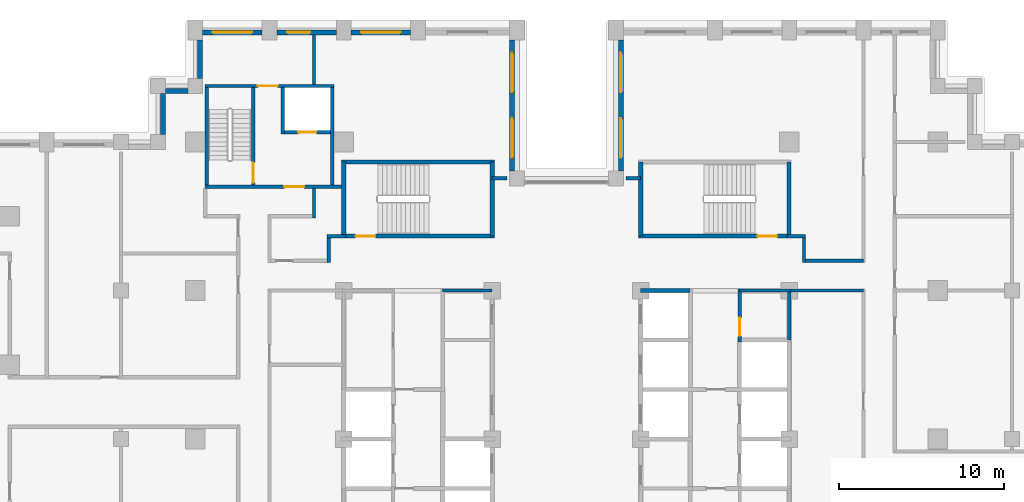
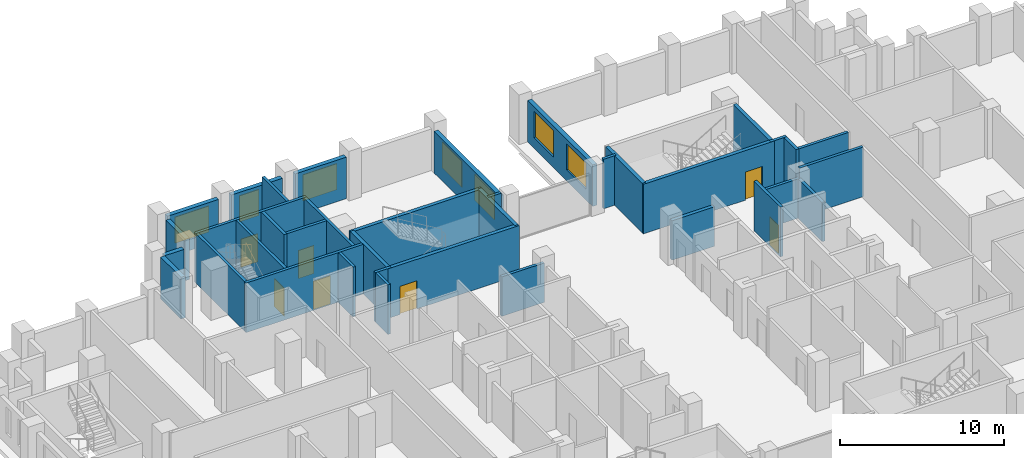
# One storey, part 10 of 15: 37 walls, 7 doors, 7 windows, 14 openings.
"""IFC4 building model written with IfcOpenShell, lengths in metres."""

from ifc_helpers import new_model, si_unit, direction, frame, frame_2d, origin, place, context, subcontext, project, spatial, rectangle, extrude, material, layer, layer_set, type_object, element, fill, save


model = new_model("IFC4")

# Units and contexts
model_context = context("Model", 3, precision=1e-05, world=origin(), true_north=direction((0.0, 1.0)))
body_context = subcontext(model_context, "Body", "Model", "MODEL_VIEW")
ifc_project = project(units=[si_unit("LENGTHUNIT", "METRE"), si_unit("AREAUNIT", "SQUARE_METRE"), si_unit("VOLUMEUNIT", "CUBIC_METRE"), si_unit("PLANEANGLEUNIT", "RADIAN"), si_unit("MASSUNIT", "GRAM", prefix="KILO")], contexts=[model_context])

# Site, building, storey
site_placement = place(None, origin())
site = spatial("IfcSite", under=ifc_project, at=site_placement, CompositionType="ELEMENT")
building_placement = place(site_placement, origin())
building = spatial("IfcBuilding", under=site, at=building_placement, Name="Corbelhall Arena Tower", CompositionType="ELEMENT")
storey_placement = place(building_placement, frame((0.0, 0.0, 92.0)))
storey = spatial("IfcBuildingStorey", under=building, at=storey_placement, Name="L15", CompositionType="ELEMENT", Elevation=92.0)

# Walls
ifc_material_1 = material(Name="Precast concrete C40/50 with granite facing", Category="masonry")
ifc_layer_1 = layer(ifc_material_1, 0.300048828125)
ifc_layer_set_1 = layer_set([ifc_layer_1], Name="EV-IW1 Infill panel 300")
wall_type_1 = type_object("IfcWallType", Name="EV-IW1 Infill panel 300", PredefinedType="SOLIDWALL", material=ifc_layer_set_1)
wall_1_placement = place(storey_placement, frame((-22.199951171875, 24.199951171875, 0.0), z_axis=(0.0, 0.0, 1.0), x_axis=(0.0, -1.0, 0.0)))
element("IfcWall", 1, at=wall_1_placement, inside=storey, type_object=wall_type_1, Name="Infill panel IW1", PredefinedType="SOLIDWALL", context=body_context, shape_type="SweptSolid", body=[
    extrude(rectangle(XDim=2.349853515625, YDim=0.300048828125, at=frame_2d((1.1748046875, 0.0))), origin(), (0.0, 0.0, 1.0), 3.10009765625),
])
wall_2_placement = place(storey_placement, frame((-22.949951171875, 21.10009765625, 0.0), z_axis=(0.0, 0.0, 1.0), x_axis=(-1.0, 0.0, 0.0)))
element("IfcWall", 2, at=wall_2_placement, inside=storey, type_object=wall_type_1, Name="Infill panel IW1", PredefinedType="SOLIDWALL", context=body_context, shape_type="SweptSolid", body=[
    extrude(rectangle(XDim=1.35009765625, YDim=0.300048828125, at=frame_2d((0.675048828125, 0.0))), origin(), (0.0, 0.0, 1.0), 3.10009765625),
])
wall_3_placement = place(storey_placement, frame((-24.449951171875, 20.949951171875, 0.0), z_axis=(0.0, 0.0, 1.0), x_axis=(0.0, -1.0, 0.0)))
element("IfcWall", 3, at=wall_3_placement, inside=storey, type_object=wall_type_1, Name="Infill panel IW1", PredefinedType="SOLIDWALL", context=body_context, shape_type="SweptSolid", body=[
    extrude(rectangle(XDim=2.5, YDim=0.300048828125, at=frame_2d((1.25, 0.0))), origin(), (0.0, 0.0, 1.0), 3.10009765625),
])

# Wall, openings, windows
wall_4_placement = place(storey_placement, frame((3.300048828125, 24.199951171875, 0.0), z_axis=(0.0, 0.0, 1.0), x_axis=(0.0, -1.0, 0.0)))
wall_4 = element("IfcWall", 4, at=wall_4_placement, inside=storey, type_object=wall_type_1, Name="Infill panel IW1", PredefinedType="SOLIDWALL", context=body_context, shape_type="SweptSolid", body=[
    extrude(rectangle(XDim=7.949951171875, YDim=0.300048828125, at=frame_2d((3.97509765625, 0.0))), origin(), (0.0, 0.0, 1.0), 3.10009765625),
])
opening_1_placement = place(wall_4_placement, frame((0.78759765625, 0.0, 0.800048828125)))
opening_1 = element("IfcOpeningElement", 5, at=opening_1_placement, cuts=wall_4, Name="Opening WN1", PredefinedType="OPENING", context=body_context, shape_type="SweptSolid", body=[
    extrude(rectangle(XDim=2.39990234375, YDim=1.949951171875, at=frame_2d((1.199951171875, 0.97509765625))), frame((0.0, 0.14990234375, 0.0), z_axis=(0.0, -1.0, 0.0), x_axis=(1.0, 0.0, 0.0)), (0.0, 0.0, 1.0), 0.300048828125),
])
opening_2_placement = place(wall_4_placement, frame((4.762451171875, 0.0, 0.800048828125)))
opening_2 = element("IfcOpeningElement", 6, at=opening_2_placement, cuts=wall_4, Name="Opening WN1", PredefinedType="OPENING", context=body_context, shape_type="SweptSolid", body=[
    extrude(rectangle(XDim=2.39990234375, YDim=1.949951171875, at=frame_2d((1.199951171875, 0.97509765625))), frame((0.0, 0.14990234375, 0.0), z_axis=(0.0, -1.0, 0.0), x_axis=(1.0, 0.0, 0.0)), (0.0, 0.0, 1.0), 0.300048828125),
])
ifc_material_2 = material(Name="Aluminium black anodised", Category="aluminium")
window_type_1 = type_object("IfcWindowType", Name="EV-WN1 Office window", PartitioningType="SINGLE_PANEL", PredefinedType="WINDOW", material=ifc_material_2)
window_1_placement = place(opening_1_placement, origin())
window_1 = element("IfcWindow", 7, at=window_1_placement, inside=storey, type_object=window_type_1, Name="Window WN1", OverallHeight=1.949951171875, OverallWidth=2.39990234375, PartitioningType="SINGLE_PANEL", PredefinedType="WINDOW", context=body_context, shape_type="SweptSolid", body=[
    extrude(rectangle(XDim=2.39990234375, YDim=1.949951171875, at=frame_2d((1.199951171875, 0.97509765625))), frame((0.0, 0.030029296875, 0.0), z_axis=(0.0, -1.0, 0.0), x_axis=(1.0, 0.0, 0.0)), (0.0, 0.0, 1.0), 0.06005859375),
])
fill(opening_1, window_1)
window_2_placement = place(opening_2_placement, origin())
window_2 = element("IfcWindow", 8, at=window_2_placement, inside=storey, type_object=window_type_1, Name="Window WN1", OverallHeight=1.949951171875, OverallWidth=2.39990234375, PartitioningType="SINGLE_PANEL", PredefinedType="WINDOW", context=body_context, shape_type="SweptSolid", body=[
    extrude(rectangle(XDim=2.39990234375, YDim=1.949951171875, at=frame_2d((1.199951171875, 0.97509765625))), frame((0.0, 0.030029296875, 0.0), z_axis=(0.0, -1.0, 0.0), x_axis=(1.0, 0.0, 0.0)), (0.0, 0.0, 1.0), 0.06005859375),
])
fill(opening_2, window_2)

wall_5_placement = place(storey_placement, frame((-3.300048828125, 16.25, 0.0), z_axis=(0.0, 0.0, 1.0), x_axis=(0.0, 1.0, 0.0)))
wall_5 = element("IfcWall", 9, at=wall_5_placement, inside=storey, type_object=wall_type_1, Name="Infill panel IW1", PredefinedType="SOLIDWALL", context=body_context, shape_type="SweptSolid", body=[
    extrude(rectangle(XDim=7.949951171875, YDim=0.300048828125, at=frame_2d((3.97509765625, 0.0))), origin(), (0.0, 0.0, 1.0), 3.10009765625),
])
opening_3_placement = place(wall_5_placement, frame((0.78759765625, 0.0, 0.800048828125)))
opening_3 = element("IfcOpeningElement", 10, at=opening_3_placement, cuts=wall_5, Name="Opening WN1", PredefinedType="OPENING", context=body_context, shape_type="SweptSolid", body=[
    extrude(rectangle(XDim=2.39990234375, YDim=1.949951171875, at=frame_2d((1.199951171875, 0.97509765625))), frame((0.0, 0.14990234375, 0.0), z_axis=(0.0, -1.0, 0.0), x_axis=(1.0, 0.0, 0.0)), (0.0, 0.0, 1.0), 0.300048828125),
])
opening_4_placement = place(wall_5_placement, frame((4.762451171875, 0.0, 0.800048828125)))
opening_4 = element("IfcOpeningElement", 11, at=opening_4_placement, cuts=wall_5, Name="Opening WN1", PredefinedType="OPENING", context=body_context, shape_type="SweptSolid", body=[
    extrude(rectangle(XDim=2.39990234375, YDim=1.949951171875, at=frame_2d((1.199951171875, 0.97509765625))), frame((0.0, 0.14990234375, 0.0), z_axis=(0.0, -1.0, 0.0), x_axis=(1.0, 0.0, 0.0)), (0.0, 0.0, 1.0), 0.300048828125),
])
window_3_placement = place(opening_3_placement, origin())
window_3 = element("IfcWindow", 12, at=window_3_placement, inside=storey, type_object=window_type_1, Name="Window WN1", OverallHeight=1.949951171875, OverallWidth=2.39990234375, PartitioningType="SINGLE_PANEL", PredefinedType="WINDOW", context=body_context, shape_type="SweptSolid", body=[
    extrude(rectangle(XDim=2.39990234375, YDim=1.949951171875, at=frame_2d((1.199951171875, 0.97509765625))), frame((0.0, 0.030029296875, 0.0), z_axis=(0.0, -1.0, 0.0), x_axis=(1.0, 0.0, 0.0)), (0.0, 0.0, 1.0), 0.06005859375),
])
fill(opening_3, window_3)
window_4_placement = place(opening_4_placement, origin())
window_4 = element("IfcWindow", 13, at=window_4_placement, inside=storey, type_object=window_type_1, Name="Window WN1", OverallHeight=1.949951171875, OverallWidth=2.39990234375, PartitioningType="SINGLE_PANEL", PredefinedType="WINDOW", context=body_context, shape_type="SweptSolid", body=[
    extrude(rectangle(XDim=2.39990234375, YDim=1.949951171875, at=frame_2d((1.199951171875, 0.97509765625))), frame((0.0, 0.030029296875, 0.0), z_axis=(0.0, -1.0, 0.0), x_axis=(1.0, 0.0, 0.0)), (0.0, 0.0, 1.0), 0.06005859375),
])
fill(opening_4, window_4)

# Wall, opening, window
wall_6_placement = place(storey_placement, frame((-9.449951171875, 24.64990234375, 0.0), z_axis=(0.0, 0.0, 1.0), x_axis=(-1.0, 0.0, 0.0)))
wall_6 = element("IfcWall", 14, at=wall_6_placement, inside=storey, type_object=wall_type_1, Name="Infill panel IW1", PredefinedType="SOLIDWALL", context=body_context, shape_type="SweptSolid", body=[
    extrude(rectangle(XDim=3.60009765625, YDim=0.300048828125, at=frame_2d((1.800048828125, 0.0))), origin(), (0.0, 0.0, 1.0), 3.10009765625),
])
opening_5_placement = place(wall_6_placement, frame((0.60009765625, 0.0, 0.800048828125)))
opening_5 = element("IfcOpeningElement", 15, at=opening_5_placement, cuts=wall_6, Name="Opening WN1", PredefinedType="OPENING", context=body_context, shape_type="SweptSolid", body=[
    extrude(rectangle(XDim=2.39990234375, YDim=1.949951171875, at=frame_2d((1.199951171875, 0.97509765625))), frame((0.0, 0.14990234375, 0.0), z_axis=(0.0, -1.0, 0.0), x_axis=(1.0, 0.0, 0.0)), (0.0, 0.0, 1.0), 0.300048828125),
])
window_5_placement = place(opening_5_placement, origin())
window_5 = element("IfcWindow", 16, at=window_5_placement, inside=storey, type_object=window_type_1, Name="Window WN1", OverallHeight=1.949951171875, OverallWidth=2.39990234375, PartitioningType="SINGLE_PANEL", PredefinedType="WINDOW", context=body_context, shape_type="SweptSolid", body=[
    extrude(rectangle(XDim=2.39990234375, YDim=1.949951171875, at=frame_2d((1.199951171875, 0.97509765625))), frame((0.0, 0.030029296875, 0.0), z_axis=(0.0, -1.0, 0.0), x_axis=(1.0, 0.0, 0.0)), (0.0, 0.0, 1.0), 0.06005859375),
])
fill(opening_5, window_5)

wall_7_placement = place(storey_placement, frame((-13.949951171875, 24.64990234375, 0.0), z_axis=(0.0, 0.0, 1.0), x_axis=(-1.0, 0.0, 0.0)))
wall_7 = element("IfcWall", 17, at=wall_7_placement, inside=storey, type_object=wall_type_1, Name="Infill panel IW1", PredefinedType="SOLIDWALL", context=body_context, shape_type="SweptSolid", body=[
    extrude(rectangle(XDim=3.60009765625, YDim=0.300048828125, at=frame_2d((1.800048828125, 0.0))), origin(), (0.0, 0.0, 1.0), 3.10009765625),
])
opening_6_placement = place(wall_7_placement, frame((1.574951171875, 0.0, 0.800048828125)))
opening_6 = element("IfcOpeningElement", 18, at=opening_6_placement, cuts=wall_7, Name="Opening WN7", PredefinedType="OPENING", context=body_context, shape_type="SweptSolid", body=[
    extrude(rectangle(XDim=1.39990234375, YDim=1.949951171875, at=frame_2d((0.699951171875, 0.97509765625))), frame((0.0, 0.14990234375, 0.0), z_axis=(0.0, -1.0, 0.0), x_axis=(1.0, 0.0, 0.0)), (0.0, 0.0, 1.0), 0.300048828125),
])
window_type_2 = type_object("IfcWindowType", Name="EV-WN7 Office window 1400", PartitioningType="SINGLE_PANEL", PredefinedType="WINDOW", material=ifc_material_2)
window_6_placement = place(opening_6_placement, origin())
window_6 = element("IfcWindow", 19, at=window_6_placement, inside=storey, type_object=window_type_2, Name="Window WN7", OverallHeight=1.949951171875, OverallWidth=1.39990234375, PartitioningType="SINGLE_PANEL", PredefinedType="WINDOW", context=body_context, shape_type="SweptSolid", body=[
    extrude(rectangle(XDim=1.39990234375, YDim=1.949951171875, at=frame_2d((0.699951171875, 0.97509765625))), frame((0.0, 0.030029296875, 0.0), z_axis=(0.0, -1.0, 0.0), x_axis=(1.0, 0.0, 0.0)), (0.0, 0.0, 1.0), 0.06005859375),
])
fill(opening_6, window_6)

wall_8_placement = place(storey_placement, frame((-18.449951171875, 24.64990234375, 0.0), z_axis=(0.0, 0.0, 1.0), x_axis=(-1.0, 0.0, 0.0)))
wall_8 = element("IfcWall", 20, at=wall_8_placement, inside=storey, type_object=wall_type_1, Name="Infill panel IW1", PredefinedType="SOLIDWALL", context=body_context, shape_type="SweptSolid", body=[
    extrude(rectangle(XDim=3.60009765625, YDim=0.300048828125, at=frame_2d((1.800048828125, 0.0))), origin(), (0.0, 0.0, 1.0), 3.10009765625),
])
opening_7_placement = place(wall_8_placement, frame((0.60009765625, 0.0, 0.800048828125)))
opening_7 = element("IfcOpeningElement", 21, at=opening_7_placement, cuts=wall_8, Name="Opening WN1", PredefinedType="OPENING", context=body_context, shape_type="SweptSolid", body=[
    extrude(rectangle(XDim=2.39990234375, YDim=1.949951171875, at=frame_2d((1.199951171875, 0.97509765625))), frame((0.0, 0.14990234375, 0.0), z_axis=(0.0, -1.0, 0.0), x_axis=(1.0, 0.0, 0.0)), (0.0, 0.0, 1.0), 0.300048828125),
])
window_7_placement = place(opening_7_placement, origin())
window_7 = element("IfcWindow", 22, at=window_7_placement, inside=storey, type_object=window_type_1, Name="Window WN1", OverallHeight=1.949951171875, OverallWidth=2.39990234375, PartitioningType="SINGLE_PANEL", PredefinedType="WINDOW", context=body_context, shape_type="SweptSolid", body=[
    extrude(rectangle(XDim=2.39990234375, YDim=1.949951171875, at=frame_2d((1.199951171875, 0.97509765625))), frame((0.0, 0.030029296875, 0.0), z_axis=(0.0, -1.0, 0.0), x_axis=(1.0, 0.0, 0.0)), (0.0, 0.0, 1.0), 0.06005859375),
])
fill(opening_7, window_7)

# Walls
ifc_material_3 = material(Name="Gypsum board on steel stud, acoustic", Category="steel")
ifc_layer_2 = layer(ifc_material_3, 0.199951171875)
ifc_layer_set_2 = layer_set([ifc_layer_2], Name="IN-W-DM200")
wall_type_2 = type_object("IfcWallType", Name="IN-W-DM200", PredefinedType="PARTITIONING", material=ifc_layer_set_2)
wall_9_placement = place(storey_placement, frame((-15.300048828125, 15.199951171875, 0.0), z_axis=(0.0, 0.0, 1.0), x_axis=(0.0, -1.0, 0.0)))
element("IfcWall", 23, at=wall_9_placement, inside=storey, type_object=wall_type_2, Name="Partition 024", PredefinedType="PARTITIONING", context=body_context, shape_type="SweptSolid", body=[
    extrude(rectangle(XDim=1.800048828125, YDim=0.199951171875, at=frame_2d((0.89990234375, 0.0))), origin(), (0.0, 0.0, 1.0), 3.699951171875),
])
wall_10_placement = place(storey_placement, frame((-15.300048828125, 24.5, 0.0), z_axis=(0.0, 0.0, 1.0), x_axis=(0.0, -1.0, 0.0)))
element("IfcWall", 24, at=wall_10_placement, inside=storey, type_object=wall_type_2, Name="Partition 025", PredefinedType="PARTITIONING", context=body_context, shape_type="SweptSolid", body=[
    extrude(rectangle(XDim=3.0, YDim=0.199951171875, at=frame_2d((1.5, 0.0))), origin(), (0.0, 0.0, 1.0), 3.699951171875),
])
wall_11_placement = place(storey_placement, frame((-14.5, 12.300048828125, 0.0), z_axis=(0.0, 0.0, 1.0), x_axis=(1.0, 0.0, 0.0)))
element("IfcWall", 25, at=wall_11_placement, inside=storey, type_object=wall_type_2, Name="Partition 026", PredefinedType="PARTITIONING", context=body_context, shape_type="SweptSolid", body=[
    extrude(rectangle(XDim=1.125, YDim=0.199951171875, at=frame_2d((0.5625, 0.0))), origin(), (0.0, 0.0, 1.0), 3.699951171875),
])
wall_12_placement = place(storey_placement, frame((-14.39990234375, 10.699951171875, 0.0), z_axis=(0.0, 0.0, 1.0), x_axis=(0.0, 1.0, 0.0)))
element("IfcWall", 26, at=wall_12_placement, inside=storey, type_object=wall_type_2, Name="Partition 030", PredefinedType="PARTITIONING", context=body_context, shape_type="SweptSolid", body=[
    extrude(rectangle(XDim=1.60009765625, YDim=0.199951171875, at=frame_2d((0.800048828125, 0.0))), origin(), (0.0, 0.0, 1.0), 3.699951171875),
])
for number, where, z_axis, x_axis, name in (
    (27, (-4.5, 15.800048828125, 0.0), (0.0, 0.0, 1.0), (1.0, 0.0, 0.0), "Partition 032"),
    (28, (3.60009765625, 15.800048828125, 0.0), (0.0, 0.0, 1.0), (1.0, 0.0, 0.0), "Partition 034"),
):
    element("IfcWall", number, at=place(storey_placement, frame(where, z_axis=z_axis, x_axis=x_axis)), inside=storey, type_object=wall_type_2, Name=name, PredefinedType="PARTITIONING", context=body_context, shape_type="SweptSolid", body=[
        extrude(rectangle(XDim=0.89990234375, YDim=0.199951171875, at=frame_2d((0.449951171875, 0.0))), origin(), (0.0, 0.0, 1.0), 3.699951171875),
    ])
wall_13_placement = place(storey_placement, frame((13.375, 12.300048828125, 0.0), z_axis=(0.0, 0.0, 1.0), x_axis=(1.0, 0.0, 0.0)))
element("IfcWall", 29, at=wall_13_placement, inside=storey, type_object=wall_type_2, Name="Partition 036", PredefinedType="PARTITIONING", context=body_context, shape_type="SweptSolid", body=[
    extrude(rectangle(XDim=1.125, YDim=0.199951171875, at=frame_2d((0.5625, 0.0))), origin(), (0.0, 0.0, 1.0), 3.699951171875),
])
wall_14_placement = place(storey_placement, frame((18.0, 9.0, 0.0), z_axis=(0.0, 0.0, 1.0), x_axis=(-1.0, 0.0, 0.0)))
element("IfcWall", 30, at=wall_14_placement, inside=storey, type_object=wall_type_2, Name="Partition 041", PredefinedType="PARTITIONING", context=body_context, shape_type="SweptSolid", body=[
    extrude(rectangle(XDim=4.5, YDim=0.199951171875, at=frame_2d((2.25, 0.0))), origin(), (0.0, 0.0, 1.0), 3.699951171875),
])
wall_15_placement = place(storey_placement, frame((14.39990234375, 10.800048828125, 0.0), z_axis=(0.0, 0.0, 1.0), x_axis=(1.0, 0.0, 0.0)))
element("IfcWall", 31, at=wall_15_placement, inside=storey, type_object=wall_type_2, Name="Partition 042", PredefinedType="PARTITIONING", context=body_context, shape_type="SweptSolid", body=[
    extrude(rectangle(XDim=3.60009765625, YDim=0.199951171875, at=frame_2d((1.800048828125, 0.0))), origin(), (0.0, 0.0, 1.0), 3.699951171875),
])
wall_16_placement = place(storey_placement, frame((14.39990234375, 12.300048828125, 0.0), z_axis=(0.0, 0.0, 1.0), x_axis=(0.0, -1.0, 0.0)))
element("IfcWall", 32, at=wall_16_placement, inside=storey, type_object=wall_type_2, Name="Partition 043", PredefinedType="PARTITIONING", context=body_context, shape_type="SweptSolid", body=[
    extrude(rectangle(XDim=1.60009765625, YDim=0.199951171875, at=frame_2d((0.800048828125, 0.0))), origin(), (0.0, 0.0, 1.0), 3.699951171875),
])

# Wall, opening, door
ifc_material_4 = material(Name="Concrete C40/50", Category="concrete")
ifc_layer_3 = layer(ifc_material_4, 0.199951171875)
ifc_layer_set_3 = layer_set([ifc_layer_3], Name="IN-W-EAR200")
wall_type_3 = type_object("IfcWallType", Name="IN-W-EAR200", PredefinedType="SOLIDWALL", material=ifc_layer_set_3)
wall_17_placement = place(storey_placement, frame((-21.89990234375, 15.300048828125, 0.0), z_axis=(0.0, 0.0, 1.0), x_axis=(1.0, 0.0, 0.0)))
wall_17 = element("IfcWall", 33, at=wall_17_placement, inside=storey, type_object=wall_type_3, Name="Fire service turret wall south", PredefinedType="SOLIDWALL", context=body_context, shape_type="SweptSolid", body=[
    extrude(rectangle(XDim=8.27490234375, YDim=0.199951171875, at=frame_2d((4.137451171875, 0.0))), origin(), (0.0, 0.0, 1.0), 3.699951171875),
])
opening_8_placement = place(wall_17_placement, frame((4.800048828125, 0.0, 0.0)))
opening_8 = element("IfcOpeningElement", 34, at=opening_8_placement, cuts=wall_17, Name="Opening E032", PredefinedType="OPENING", context=body_context, shape_type="SweptSolid", body=[
    extrude(rectangle(XDim=1.199951171875, YDim=2.10009765625, at=frame_2d((0.60009765625, 1.050048828125))), frame((0.0, 0.10009765625, 0.0), z_axis=(0.0, -1.0, 0.0), x_axis=(1.0, 0.0, 0.0)), (0.0, 0.0, 1.0), 0.199951171875),
])
ifc_material_5 = material(Name="Steel door set", Category="steel")
door_type_1 = type_object("IfcDoorType", Name="IN-D-ST120", OperationType="NOTDEFINED", PredefinedType="DOOR", material=ifc_material_5)
door_1_placement = place(opening_8_placement, origin())
door_1 = element("IfcDoor", 35, at=door_1_placement, inside=storey, type_object=door_type_1, Name="Door from fire service lift lobby to circulation", OperationType="SINGLE_SWING_RIGHT", OverallHeight=2.10009765625, OverallWidth=1.199951171875, PredefinedType="DOOR", context=body_context, shape_type="SweptSolid", body=[
    extrude(rectangle(XDim=1.199951171875, YDim=2.10009765625, at=frame_2d((0.60009765625, 1.050048828125))), frame((0.0, 0.02490234375, 0.0), z_axis=(0.0, -1.0, 0.0), x_axis=(1.0, 0.0, 0.0)), (0.0, 0.0, 1.0), 0.050048828125),
])
fill(opening_8, door_1)

wall_18_placement = place(storey_placement, frame((-21.89990234375, 21.39990234375, 0.0), z_axis=(0.0, 0.0, 1.0), x_axis=(1.0, 0.0, 0.0)))
wall_18 = element("IfcWall", 36, at=wall_18_placement, inside=storey, type_object=wall_type_3, Name="Fire service turret wall north", PredefinedType="SOLIDWALL", context=body_context, shape_type="SweptSolid", body=[
    extrude(rectangle(XDim=7.7998046875, YDim=0.199951171875, at=frame_2d((3.89990234375, 0.0))), origin(), (0.0, 0.0, 1.0), 3.699951171875),
])
opening_9_placement = place(wall_18_placement, frame((3.199951171875, 0.0, 0.0)))
opening_9 = element("IfcOpeningElement", 37, at=opening_9_placement, cuts=wall_18, Name="Opening E033", PredefinedType="OPENING", context=body_context, shape_type="SweptSolid", body=[
    extrude(rectangle(XDim=1.199951171875, YDim=2.10009765625, at=frame_2d((0.60009765625, 1.050048828125))), frame((0.0, 0.10009765625, 0.0), z_axis=(0.0, -1.0, 0.0), x_axis=(1.0, 0.0, 0.0)), (0.0, 0.0, 1.0), 0.199951171875),
])
door_2_placement = place(opening_9_placement, origin())
door_2 = element("IfcDoor", 38, at=door_2_placement, inside=storey, type_object=door_type_1, Name="Door from fire service lift lobby to the north gallery", OperationType="SINGLE_SWING_LEFT", OverallHeight=2.10009765625, OverallWidth=1.199951171875, PredefinedType="DOOR", context=body_context, shape_type="SweptSolid", body=[
    extrude(rectangle(XDim=1.199951171875, YDim=2.10009765625, at=frame_2d((0.60009765625, 1.050048828125))), frame((0.0, 0.02490234375, 0.0), z_axis=(0.0, -1.0, 0.0), x_axis=(1.0, 0.0, 0.0)), (0.0, 0.0, 1.0), 0.050048828125),
])
fill(opening_9, door_2)

# Walls
for number, where, z_axis, x_axis, name in (
    (39, (-21.800048828125, 15.39990234375, 0.0), (0.0, 0.0, 1.0), (0.0, 1.0, 0.0), "Fire service turret wall west"),
    (40, (-14.199951171875, 15.39990234375, 0.0), (0.0, 0.0, 1.0), (0.0, 1.0, 0.0), "Fire service turret wall east"),
):
    element("IfcWall", number, at=place(storey_placement, frame(where, z_axis=z_axis, x_axis=x_axis)), inside=storey, type_object=wall_type_3, Name=name, PredefinedType="SOLIDWALL", context=body_context, shape_type="SweptSolid", body=[
        extrude(rectangle(XDim=5.900146484375, YDim=0.199951171875, at=frame_2d((2.9501953125, 0.0))), origin(), (0.0, 0.0, 1.0), 3.699951171875),
    ])

# Wall, opening, door
wall_19_placement = place(storey_placement, frame((-18.989990234375, 15.39990234375, 0.0), z_axis=(0.0, 0.0, 1.0), x_axis=(0.0, 1.0, 0.0)))
wall_19 = element("IfcWall", 41, at=wall_19_placement, inside=storey, type_object=wall_type_3, Name="Fire service turret wall stair", PredefinedType="SOLIDWALL", context=body_context, shape_type="SweptSolid", body=[
    extrude(rectangle(XDim=5.900146484375, YDim=0.199951171875, at=frame_2d((2.9501953125, 0.0))), origin(), (0.0, 0.0, 1.0), 3.699951171875),
])
opening_10_placement = place(wall_19_placement, frame((0.14990234375, 0.0, 0.0)))
opening_10 = element("IfcOpeningElement", 42, at=opening_10_placement, cuts=wall_19, Name="Opening E031", PredefinedType="OPENING", context=body_context, shape_type="SweptSolid", body=[
    extrude(rectangle(XDim=1.199951171875, YDim=2.10009765625, at=frame_2d((0.60009765625, 1.050048828125))), frame((0.0, 0.10009765625, 0.0), z_axis=(0.0, -1.0, 0.0), x_axis=(1.0, 0.0, 0.0)), (0.0, 0.0, 1.0), 0.199951171875),
])
door_3_placement = place(opening_10_placement, origin())
door_3 = element("IfcDoor", 43, at=door_3_placement, inside=storey, type_object=door_type_1, Name="Stair door to fire service lobby", OperationType="SINGLE_SWING_LEFT", OverallHeight=2.10009765625, OverallWidth=1.199951171875, PredefinedType="DOOR", context=body_context, shape_type="SweptSolid", body=[
    extrude(rectangle(XDim=1.199951171875, YDim=2.10009765625, at=frame_2d((0.60009765625, 1.050048828125))), frame((0.0, 0.02490234375, 0.0), z_axis=(0.0, -1.0, 0.0), x_axis=(1.0, 0.0, 0.0)), (0.0, 0.0, 1.0), 0.050048828125),
])
fill(opening_10, door_3)

# Wall
wall_20_placement = place(storey_placement, frame((-17.199951171875, 18.5, 0.0), z_axis=(0.0, 0.0, 1.0), x_axis=(0.0, 1.0, 0.0)))
element("IfcWall", 44, at=wall_20_placement, inside=storey, type_object=wall_type_3, Name="Fire service turret wall hoistway west", PredefinedType="SOLIDWALL", context=body_context, shape_type="SweptSolid", body=[
    extrude(rectangle(XDim=2.800048828125, YDim=0.199951171875, at=frame_2d((1.39990234375, 0.0))), origin(), (0.0, 0.0, 1.0), 3.699951171875),
])

# Wall, opening, door
wall_21_placement = place(storey_placement, frame((-17.10009765625, 18.60009765625, 0.0), z_axis=(0.0, 0.0, 1.0), x_axis=(1.0, 0.0, 0.0)))
wall_21 = element("IfcWall", 45, at=wall_21_placement, inside=storey, type_object=wall_type_3, Name="Fire service turret wall hoistway south", PredefinedType="SOLIDWALL", context=body_context, shape_type="SweptSolid", body=[
    extrude(rectangle(XDim=2.800048828125, YDim=0.199951171875, at=frame_2d((1.39990234375, 0.0))), origin(), (0.0, 0.0, 1.0), 3.699951171875),
])
opening_11_placement = place(wall_21_placement, frame((0.85009765625, 0.0, 0.0)))
opening_11 = element("IfcOpeningElement", 46, at=opening_11_placement, cuts=wall_21, Name="Opening LD", PredefinedType="OPENING", context=body_context, shape_type="SweptSolid", body=[
    extrude(rectangle(XDim=1.10009765625, YDim=2.10009765625, at=frame_2d((0.550048828125, 1.050048828125))), frame((0.0, 0.10009765625, 0.0), z_axis=(0.0, -1.0, 0.0), x_axis=(1.0, 0.0, 0.0)), (0.0, 0.0, 1.0), 0.199951171875),
])
door_type_2 = type_object("IfcDoorType", Name="IN-D-LD110", OperationType="NOTDEFINED", PredefinedType="DOOR", material=ifc_material_5)
door_4_placement = place(opening_11_placement, origin())
door_4 = element("IfcDoor", 47, at=door_4_placement, inside=storey, type_object=door_type_2, Name="Landing door FS1", OperationType="SLIDING_TO_LEFT", OverallHeight=2.10009765625, OverallWidth=1.10009765625, PredefinedType="DOOR", context=body_context, shape_type="SweptSolid", body=[
    extrude(rectangle(XDim=1.10009765625, YDim=2.10009765625, at=frame_2d((0.550048828125, 1.050048828125))), frame((0.0, 0.02490234375, 0.0), z_axis=(0.0, -1.0, 0.0), x_axis=(1.0, 0.0, 0.0)), (0.0, 0.0, 1.0), 0.050048828125),
])
fill(opening_11, door_4)

ifc_material_6 = material(Name="Concrete block wall", Category="concrete")
ifc_layer_4 = layer(ifc_material_6, 0.199951171875)
ifc_layer_set_4 = layer_set([ifc_layer_4], Name="IN-W-RS200")
wall_type_4 = type_object("IfcWallType", Name="IN-W-RS200", PredefinedType="SOLIDWALL", material=ifc_layer_set_4)
wall_22_placement = place(storey_placement, frame((10.5, 9.10009765625, 0.0), z_axis=(0.0, 0.0, 1.0), x_axis=(0.0, -1.0, 0.0)))
wall_22 = element("IfcWall", 48, at=wall_22_placement, inside=storey, type_object=wall_type_4, Name="Partition 072", PredefinedType="SOLIDWALL", context=body_context, shape_type="SweptSolid", body=[
    extrude(rectangle(XDim=3.22509765625, YDim=0.199951171875, at=frame_2d((1.612548828125, 0.0))), origin(), (0.0, 0.0, 1.0), 3.699951171875),
])
opening_12_placement = place(wall_22_placement, frame((1.75, 0.0, 0.0)))
opening_12 = element("IfcOpeningElement", 49, at=opening_12_placement, cuts=wall_22, Name="Opening 03012", PredefinedType="OPENING", context=body_context, shape_type="SweptSolid", body=[
    extrude(rectangle(XDim=1.10009765625, YDim=2.10009765625, at=frame_2d((0.550048828125, 1.050048828125))), frame((0.0, 0.10009765625, 0.0), z_axis=(0.0, -1.0, 0.0), x_axis=(1.0, 0.0, 0.0)), (0.0, 0.0, 1.0), 0.199951171875),
])
door_type_3 = type_object("IfcDoorType", Name="IN-D-FD110", OperationType="NOTDEFINED", PredefinedType="DOOR", material=ifc_material_5)
door_5_placement = place(opening_12_placement, origin())
door_5 = element("IfcDoor", 50, at=door_5_placement, inside=storey, type_object=door_type_3, Name="Door 012", OperationType="SINGLE_SWING_LEFT", OverallHeight=2.10009765625, OverallWidth=1.10009765625, PredefinedType="DOOR", context=body_context, shape_type="SweptSolid", body=[
    extrude(rectangle(XDim=1.10009765625, YDim=2.10009765625, at=frame_2d((0.550048828125, 1.050048828125))), frame((0.0, 0.02490234375, 0.0), z_axis=(0.0, -1.0, 0.0), x_axis=(1.0, 0.0, 0.0)), (0.0, 0.0, 1.0), 0.050048828125),
])
fill(opening_12, door_5)

# Walls
ifc_layer_5 = layer(ifc_material_6, 0.199951171875)
ifc_layer_set_5 = layer_set([ifc_layer_5], Name="IN-W-RS200 under beam 762 mm")
wall_type_5 = type_object("IfcWallType", Name="IN-W-RS200 under beam 762 mm", PredefinedType="SOLIDWALL", material=ifc_layer_set_5)
wall_23_placement = place(storey_placement, frame((-7.5, 9.0, 0.0), z_axis=(0.0, 0.0, 1.0), x_axis=(1.0, 0.0, 0.0)))
element("IfcWall", 51, at=wall_23_placement, inside=storey, type_object=wall_type_5, Name="Partition 065", PredefinedType="SOLIDWALL", context=body_context, shape_type="SweptSolid", body=[
    extrude(rectangle(XDim=3.0, YDim=0.199951171875, at=frame_2d((1.5, 0.0))), origin(), (0.0, 0.0, 1.0), 2.93798828125),
])
for number, where, z_axis, x_axis, name in (
    (52, (10.5, 9.0, 0.0), (0.0, 0.0, 1.0), (1.0, 0.0, 0.0), "Partition 071"),
    (53, (13.5, 9.10009765625, 0.0), (0.0, 0.0, 1.0), (0.0, -1.0, 0.0), "Partition 073"),
):
    element("IfcWall", number, at=place(storey_placement, frame(where, z_axis=z_axis, x_axis=x_axis)), inside=storey, type_object=wall_type_5, Name=name, PredefinedType="SOLIDWALL", context=body_context, shape_type="SweptSolid", body=[
        extrude(rectangle(XDim=3.10009765625, YDim=0.199951171875, at=frame_2d((1.550048828125, 0.0))), origin(), (0.0, 0.0, 1.0), 2.93798828125),
    ])
ifc_layer_6 = layer(ifc_material_4, 0.25)
ifc_layer_set_6 = layer_set([ifc_layer_6], Name="IN-W-SH250 under beam 762 mm")
wall_type_6 = type_object("IfcWallType", Name="IN-W-SH250 under beam 762 mm", PredefinedType="SOLIDWALL", material=ifc_layer_set_6)
wall_24_placement = place(storey_placement, frame((4.5, 9.0, 0.0), z_axis=(0.0, 0.0, 1.0), x_axis=(1.0, 0.0, 0.0)))
element("IfcWall", 54, at=wall_24_placement, inside=storey, type_object=wall_type_6, Name="Shaft wall 088", PredefinedType="SOLIDWALL", context=body_context, shape_type="SweptSolid", body=[
    extrude(rectangle(XDim=3.0, YDim=0.25, at=frame_2d((1.5, 0.0))), origin(), (0.0, 0.0, 1.0), 2.93798828125),
])

# Wall, opening, door
ifc_layer_7 = layer(ifc_material_4, 0.25)
ifc_layer_set_7 = layer_set([ifc_layer_7], Name="IN-W-ST250")
wall_type_7 = type_object("IfcWallType", Name="IN-W-ST250", PredefinedType="SOLIDWALL", material=ifc_layer_set_7)
wall_25_placement = place(storey_placement, frame((-13.625, 12.300048828125, 0.0), z_axis=(0.0, 0.0, 1.0), x_axis=(1.0, 0.0, 0.0)))
wall_25 = element("IfcWall", 55, at=wall_25_placement, inside=storey, type_object=wall_type_7, Name="Shaft wall 101", PredefinedType="SOLIDWALL", context=body_context, shape_type="SweptSolid", body=[
    extrude(rectangle(XDim=9.25, YDim=0.25, at=frame_2d((4.625, 0.0))), origin(), (0.0, 0.0, 1.0), 3.699951171875),
])
opening_13_placement = place(wall_25_placement, frame((0.85009765625, 0.0, 0.0)))
opening_13 = element("IfcOpeningElement", 56, at=opening_13_placement, cuts=wall_25, Name="Opening 03013", PredefinedType="OPENING", context=body_context, shape_type="SweptSolid", body=[
    extrude(rectangle(XDim=1.199951171875, YDim=2.10009765625, at=frame_2d((0.60009765625, 1.050048828125))), frame((0.0, 0.125, 0.0), z_axis=(0.0, -1.0, 0.0), x_axis=(1.0, 0.0, 0.0)), (0.0, 0.0, 1.0), 0.25),
])
door_6_placement = place(opening_13_placement, origin())
door_6 = element("IfcDoor", 57, at=door_6_placement, inside=storey, type_object=door_type_1, Name="Door 013", OperationType="SINGLE_SWING_RIGHT", OverallHeight=2.10009765625, OverallWidth=1.199951171875, PredefinedType="DOOR", context=body_context, shape_type="SweptSolid", body=[
    extrude(rectangle(XDim=1.199951171875, YDim=2.10009765625, at=frame_2d((0.60009765625, 1.050048828125))), frame((0.0, 0.02490234375, 0.0), z_axis=(0.0, -1.0, 0.0), x_axis=(1.0, 0.0, 0.0)), (0.0, 0.0, 1.0), 0.050048828125),
])
fill(opening_13, door_6)

# Walls
wall_26_placement = place(storey_placement, frame((-13.625, 16.800048828125, 0.0), z_axis=(0.0, 0.0, 1.0), x_axis=(1.0, 0.0, 0.0)))
element("IfcWall", 58, at=wall_26_placement, inside=storey, type_object=wall_type_7, Name="Shaft wall 102", PredefinedType="SOLIDWALL", context=body_context, shape_type="SweptSolid", body=[
    extrude(rectangle(XDim=9.25, YDim=0.25, at=frame_2d((4.625, 0.0))), origin(), (0.0, 0.0, 1.0), 3.699951171875),
])
for number, where, z_axis, x_axis, name in (
    (59, (-13.5, 12.300048828125, 0.0), (0.0, 0.0, 1.0), (0.0, 1.0, 0.0), "Shaft wall 104"),
    (60, (-4.5, 16.800048828125, 0.0), (0.0, 0.0, 1.0), (0.0, -1.0, 0.0), "Shaft wall 107"),
):
    element("IfcWall", number, at=place(storey_placement, frame(where, z_axis=z_axis, x_axis=x_axis)), inside=storey, type_object=wall_type_7, Name=name, PredefinedType="SOLIDWALL", context=body_context, shape_type="SweptSolid", body=[
        extrude(rectangle(XDim=4.5, YDim=0.25, at=frame_2d((2.25, 0.0))), origin(), (0.0, 0.0, 1.0), 3.699951171875),
    ])

# Wall, opening, door
wall_27_placement = place(storey_placement, frame((4.375, 12.300048828125, 0.0), z_axis=(0.0, 0.0, 1.0), x_axis=(1.0, 0.0, 0.0)))
wall_27 = element("IfcWall", 61, at=wall_27_placement, inside=storey, type_object=wall_type_7, Name="Shaft wall 109", PredefinedType="SOLIDWALL", context=body_context, shape_type="SweptSolid", body=[
    extrude(rectangle(XDim=9.25, YDim=0.25, at=frame_2d((4.625, 0.0))), origin(), (0.0, 0.0, 1.0), 3.699951171875),
])
opening_14_placement = place(wall_27_placement, frame((7.199951171875, 0.0, 0.0)))
opening_14 = element("IfcOpeningElement", 62, at=opening_14_placement, cuts=wall_27, Name="Opening 03015", PredefinedType="OPENING", context=body_context, shape_type="SweptSolid", body=[
    extrude(rectangle(XDim=1.199951171875, YDim=2.10009765625, at=frame_2d((0.60009765625, 1.050048828125))), frame((0.0, 0.125, 0.0), z_axis=(0.0, -1.0, 0.0), x_axis=(1.0, 0.0, 0.0)), (0.0, 0.0, 1.0), 0.25),
])
door_7_placement = place(opening_14_placement, origin())
door_7 = element("IfcDoor", 63, at=door_7_placement, inside=storey, type_object=door_type_1, Name="Door 015", OperationType="SINGLE_SWING_RIGHT", OverallHeight=2.10009765625, OverallWidth=1.199951171875, PredefinedType="DOOR", context=body_context, shape_type="SweptSolid", body=[
    extrude(rectangle(XDim=1.199951171875, YDim=2.10009765625, at=frame_2d((0.60009765625, 1.050048828125))), frame((0.0, 0.02490234375, 0.0), z_axis=(0.0, -1.0, 0.0), x_axis=(1.0, 0.0, 0.0)), (0.0, 0.0, 1.0), 0.050048828125),
])
fill(opening_14, door_7)

# Walls
for number, where, z_axis, x_axis, name in (
    (64, (4.5, 12.300048828125, 0.0), (0.0, 0.0, 1.0), (0.0, 1.0, 0.0), "Shaft wall 112"),
    (65, (13.5, 16.800048828125, 0.0), (0.0, 0.0, 1.0), (0.0, -1.0, 0.0), "Shaft wall 115"),
):
    element("IfcWall", number, at=place(storey_placement, frame(where, z_axis=z_axis, x_axis=x_axis)), inside=storey, type_object=wall_type_7, Name=name, PredefinedType="SOLIDWALL", context=body_context, shape_type="SweptSolid", body=[
        extrude(rectangle(XDim=4.5, YDim=0.25, at=frame_2d((2.25, 0.0))), origin(), (0.0, 0.0, 1.0), 3.699951171875),
    ])

save(model, "model.ifc")
